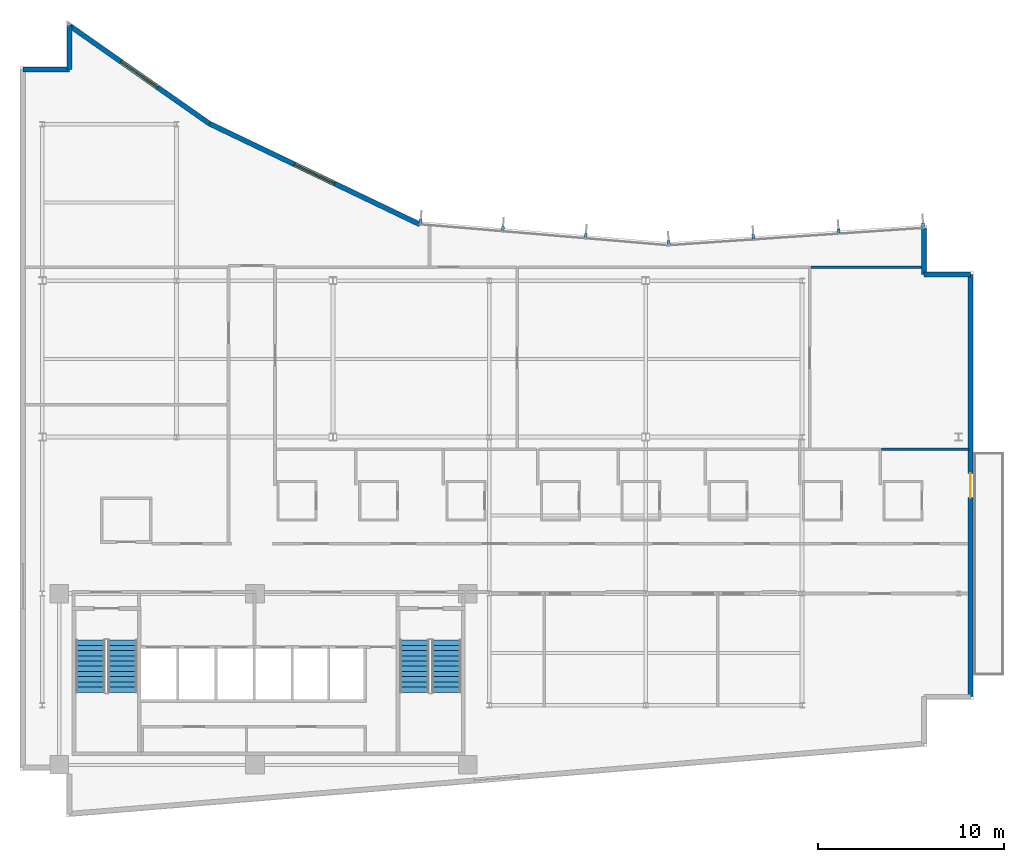
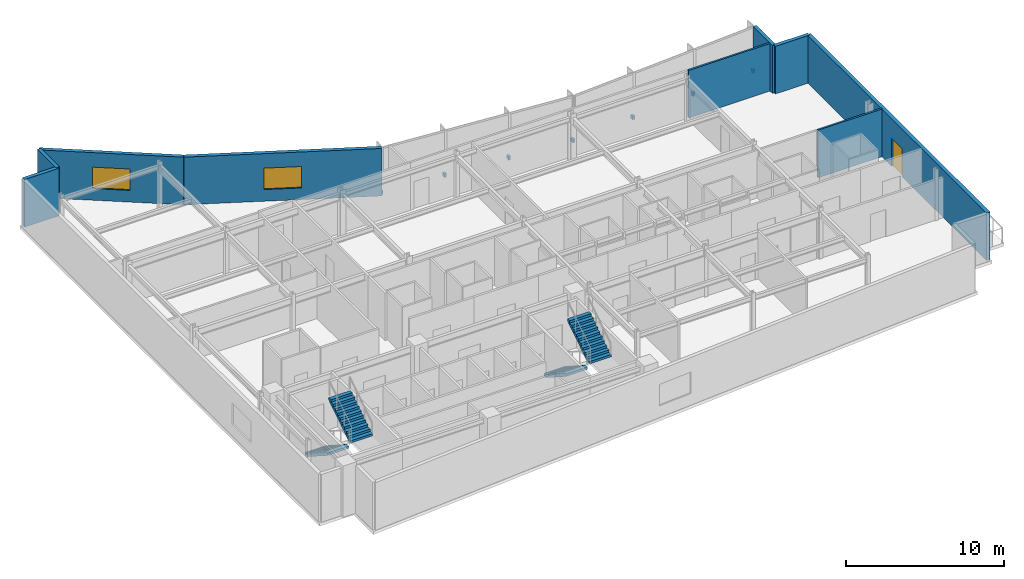
# One storey, part 12 of 15: 9 walls, 7 discrete accessories, 4 stair flights, 2 windows, 1 door, 3 openings, 2 elements without a shape of their own.
"""IFC4 building model written with IfcOpenShell, lengths in metres."""

from ifc_helpers import new_model, si_unit, direction, frame, frame_2d, origin, origin_2d, place, context, subcontext, project, spatial, polyline, rectangle, outline, extrude, material, layer, layer_set, type_object, element, fill, aggregate, save


model = new_model("IFC4")

# Units and contexts
model_context = context("Model", 3, precision=1e-05, world=origin(), true_north=direction((0.0, 1.0)))
body_context = subcontext(model_context, "Body", "Model", "MODEL_VIEW")
ifc_project = project(units=[si_unit("LENGTHUNIT", "METRE"), si_unit("AREAUNIT", "SQUARE_METRE"), si_unit("VOLUMEUNIT", "CUBIC_METRE"), si_unit("PLANEANGLEUNIT", "RADIAN"), si_unit("MASSUNIT", "GRAM", prefix="KILO")], contexts=[model_context])

# Site, building, storey
site_placement = place(None, origin())
site = spatial("IfcSite", under=ifc_project, at=site_placement, CompositionType="ELEMENT")
building_placement = place(site_placement, origin())
building = spatial("IfcBuilding", under=site, at=building_placement, Name="Varnakote Quay Hospital", CompositionType="ELEMENT")
storey_placement = place(building_placement, frame((0.0, 0.0, 231.60009765625)))
storey = spatial("IfcBuildingStorey", under=building, at=storey_placement, Name="L57", CompositionType="ELEMENT", Elevation=231.60009765625)

# Wall, opening, door
ifc_material_1 = material(Name="Precast concrete N50 (f'c 50 MPa)", Category="concrete")
ifc_layer_1 = layer(ifc_material_1, 0.260009765625)
ifc_layer_set_1 = layer_set([ifc_layer_1], Name="Precast concrete N50 (f'c 50 MPa)")
wall_type_1 = type_object("IfcWallType", Name="WL-EXT-BRICK-260", PredefinedType="STANDARD", material=ifc_layer_set_1)
wall_1_placement = place(storey_placement, frame((51.0400390625, 6.4599609375, 0.0), z_axis=(0.0, 0.0, 1.0), x_axis=(0.0, 1.0, 0.0)))
wall_1 = element("IfcWall", 1, at=wall_1_placement, inside=storey, type_object=wall_type_1, Name="L57 Healing Terrace Portal Brick Wall", PredefinedType="STANDARD", context=body_context, shape_type="SweptSolid", body=[
    extrude(rectangle(XDim=22.679931640625, YDim=0.260009765625, at=frame_2d((11.33984375, 0.0))), origin(), (0.0, 0.0, 1.0), 3.669921875),
])
opening_1_placement = place(wall_1_placement, frame((10.68994140625, 0.0, 0.0)))
opening_1 = element("IfcOpeningElement", 2, at=opening_1_placement, cuts=wall_1, Name="Opening DT-L57", PredefinedType="OPENING", context=body_context, shape_type="SweptSolid", body=[
    extrude(rectangle(XDim=1.300048828125, YDim=2.14990234375, at=frame_2d((0.64990234375, 1.074951171875))), frame((0.0, 0.139892578125, 0.0), z_axis=(0.0, -1.0, 0.0), x_axis=(1.0, 0.0, 0.0)), (0.0, 0.0, 1.0), 0.280029296875),
])
ifc_material_2 = material(Name="Anodised aluminium glazed terrace door", Category="aluminium")
door_type = type_object("IfcDoorType", Name="DR-EXT-TERR-1300x2150", OperationType="NOTDEFINED", PredefinedType="DOOR", material=ifc_material_2)
door_placement = place(opening_1_placement, origin())
door = element("IfcDoor", 3, at=door_placement, inside=storey, type_object=door_type, Name="L57 Waterfront Healing Terrace Door", OperationType="SINGLE_SWING_RIGHT", OverallHeight=2.14990234375, OverallWidth=1.300048828125, PredefinedType="DOOR", context=body_context, shape_type="SweptSolid", body=[
    extrude(rectangle(XDim=1.300048828125, YDim=2.14990234375, at=frame_2d((0.64990234375, 1.074951171875))), frame((0.0, 0.02490234375, 0.0), z_axis=(0.0, -1.0, 0.0), x_axis=(1.0, 0.0, 0.0)), (0.0, 0.0, 1.0), 0.050048828125),
])
fill(opening_1, door)

# Walls
wall_2_placement = place(storey_placement, frame((51.0400390625, 29.139892578125, 0.0), z_axis=(0.0, 0.0, 1.0), x_axis=(-1.0, 0.0, 0.0)))
element("IfcWall", 4, at=wall_2_placement, inside=storey, type_object=wall_type_1, Name="L57 Brick-Faced Precast Exterior Wall", PredefinedType="STANDARD", context=body_context, shape_type="SweptSolid", body=[
    extrude(rectangle(XDim=2.5, YDim=0.260009765625, at=frame_2d((1.25, 0.0))), origin(), (0.0, 0.0, 1.0), 3.669921875),
])
wall_3_placement = place(storey_placement, frame((48.5400390625, 29.139892578125, 0.0), z_axis=(0.0, 0.0, 1.0), x_axis=(0.0, 1.0, 0.0)))
element("IfcWall", 5, at=wall_3_placement, inside=storey, type_object=wall_type_1, Name="L57 Brick-Faced Precast Exterior Wall", PredefinedType="STANDARD", context=body_context, shape_type="SweptSolid", body=[
    extrude(rectangle(XDim=2.489013671875, YDim=0.260009765625, at=frame_2d((1.24462890625, 0.0))), origin(), (0.0, 0.0, 1.0), 3.669921875),
])

# Wall, opening, window
wall_4_placement = place(storey_placement, frame((21.461181640625, 31.822998046875, 0.0), z_axis=(0.0, 0.0, 1.0), x_axis=(-0.901858094827, 0.432032379336, 0.0)))
wall_4 = element("IfcWall", 6, at=wall_4_placement, inside=storey, type_object=wall_type_1, Name="L57 Brick-Faced Precast Exterior Wall", PredefinedType="STANDARD", context=body_context, shape_type="SweptSolid", body=[
    extrude(rectangle(XDim=12.5322265625, YDim=0.260009765625, at=frame_2d((6.26611328125, 0.0))), origin(), (0.0, 0.0, 1.0), 3.669921875),
])
opening_2_placement = place(wall_4_placement, frame((5.066162109375, 0.0, 0.89990234375)))
opening_2 = element("IfcOpeningElement", 7, at=opening_2_placement, cuts=wall_4, Name="Opening WN-0235", PredefinedType="OPENING", context=body_context, shape_type="SweptSolid", body=[
    extrude(rectangle(XDim=2.39990234375, YDim=1.64990234375, at=frame_2d((1.199951171875, 0.824951171875))), frame((0.0, 0.139892578125, 0.0), z_axis=(0.0, -1.0, 0.0), x_axis=(1.0, 0.0, 0.0)), (0.0, 0.0, 1.0), 0.280029296875),
])
ifc_material_3 = material(Name="Double-glazed low-E solar glass", Category="glass")
window_type = type_object("IfcWindowType", Name="WIN-CLIN-2400x1650", PartitioningType="SINGLE_PANEL", PredefinedType="WINDOW", material=ifc_material_3)
window_1_placement = place(opening_2_placement, origin())
window_1 = element("IfcWindow", 8, at=window_1_placement, inside=storey, type_object=window_type, Name="L57 Solar-Control Clinical Window", OverallHeight=1.64990234375, OverallWidth=2.39990234375, PartitioningType="SINGLE_PANEL", PredefinedType="WINDOW", context=body_context, shape_type="SweptSolid", body=[
    extrude(rectangle(XDim=2.39990234375, YDim=1.64990234375, at=frame_2d((1.199951171875, 0.824951171875))), frame((0.0, 0.030029296875, 0.0), z_axis=(0.0, -1.0, 0.0), x_axis=(1.0, 0.0, 0.0)), (0.0, 0.0, 1.0), 0.06005859375),
])
fill(opening_2, window_1)

wall_5_placement = place(storey_placement, frame((10.158935546875, 37.2373046875, 0.0), z_axis=(0.0, 0.0, 1.0), x_axis=(-0.818933702389, 0.57388813465, 0.0)))
wall_5 = element("IfcWall", 9, at=wall_5_placement, inside=storey, type_object=wall_type_1, Name="L57 Brick-Faced Precast Exterior Wall", PredefinedType="STANDARD", context=body_context, shape_type="SweptSolid", body=[
    extrude(rectangle(XDim=9.156982421875, YDim=0.260009765625, at=frame_2d((4.57861328125, 0.0))), origin(), (0.0, 0.0, 1.0), 3.669921875),
])
opening_3_placement = place(wall_5_placement, frame((3.37841796875, 0.0, 0.89990234375)))
opening_3 = element("IfcOpeningElement", 10, at=opening_3_placement, cuts=wall_5, Name="Opening WN-0236", PredefinedType="OPENING", context=body_context, shape_type="SweptSolid", body=[
    extrude(rectangle(XDim=2.39990234375, YDim=1.64990234375, at=frame_2d((1.199951171875, 0.824951171875))), frame((0.0, 0.139892578125, 0.0), z_axis=(0.0, -1.0, 0.0), x_axis=(1.0, 0.0, 0.0)), (0.0, 0.0, 1.0), 0.280029296875),
])
window_2_placement = place(opening_3_placement, origin())
window_2 = element("IfcWindow", 11, at=window_2_placement, inside=storey, type_object=window_type, Name="L57 Solar-Control Clinical Window", OverallHeight=1.64990234375, OverallWidth=2.39990234375, PartitioningType="SINGLE_PANEL", PredefinedType="WINDOW", context=body_context, shape_type="SweptSolid", body=[
    extrude(rectangle(XDim=2.39990234375, YDim=1.64990234375, at=frame_2d((1.199951171875, 0.824951171875))), frame((0.0, 0.030029296875, 0.0), z_axis=(0.0, -1.0, 0.0), x_axis=(1.0, 0.0, 0.0)), (0.0, 0.0, 1.0), 0.06005859375),
])
fill(opening_3, window_2)

# Walls
wall_6_placement = place(storey_placement, frame((2.659912109375, 42.492431640625, 0.0), z_axis=(0.0, 0.0, 1.0), x_axis=(0.0, -1.0, 0.0)))
element("IfcWall", 12, at=wall_6_placement, inside=storey, type_object=wall_type_1, Name="L57 Brick-Faced Precast Exterior Wall", PredefinedType="STANDARD", context=body_context, shape_type="SweptSolid", body=[
    extrude(rectangle(XDim=2.3525390625, YDim=0.260009765625, at=frame_2d((1.17626953125, 0.0))), origin(), (0.0, 0.0, 1.0), 3.669921875),
])
wall_7_placement = place(storey_placement, frame((2.659912109375, 40.139892578125, 0.0), z_axis=(0.0, 0.0, 1.0), x_axis=(-1.0, 0.0, 0.0)))
element("IfcWall", 13, at=wall_7_placement, inside=storey, type_object=wall_type_1, Name="L57 Brick-Faced Precast Exterior Wall", PredefinedType="STANDARD", context=body_context, shape_type="SweptSolid", body=[
    extrude(rectangle(XDim=2.5, YDim=0.260009765625, at=frame_2d((1.25, 0.0))), origin(), (0.0, 0.0, 1.0), 3.669921875),
])
ifc_material_4 = material(Name="Smoke-proof clinical partition", Category="gypsum")
ifc_layer_2 = layer(ifc_material_4, 0.135009765625)
ifc_layer_set_2 = layer_set([ifc_layer_2], Name="Smoke-proof clinical partition")
wall_type_2 = type_object("IfcWallType", Name="WL-SMOKE-135", PredefinedType="PARTITIONING", material=ifc_layer_set_2)
wall_8_placement = place(storey_placement, frame((50.9599609375, 19.739990234375, 0.0), z_axis=(0.0, 0.0, 1.0), x_axis=(-1.0, 0.0, 0.0)))
element("IfcWall", 14, at=wall_8_placement, inside=storey, type_object=wall_type_2, Name="L57 Clinical Interior Partition", PredefinedType="PARTITIONING", context=body_context, shape_type="SweptSolid", body=[
    extrude(rectangle(XDim=4.702392578125, YDim=0.135009765625, at=frame_2d((2.35107421875, 0.0))), origin(), (0.0, 0.0, 1.0), 3.669921875),
])
wall_9_placement = place(storey_placement, frame((48.5400390625, 29.52001953125, 0.0), z_axis=(0.0, 0.0, 1.0), x_axis=(-1.0, 0.0, 0.0)))
element("IfcWall", 15, at=wall_9_placement, inside=storey, type_object=wall_type_2, Name="L57 Clinical Interior Partition", PredefinedType="PARTITIONING", context=body_context, shape_type="SweptSolid", body=[
    extrude(rectangle(XDim=6.0625, YDim=0.135009765625, at=frame_2d((3.03125, 0.0))), origin(), (0.0, 0.0, 1.0), 3.669921875),
])

# Stair, stair flights
ifc_material_5 = material(Name="Concrete N40 (f'c 40 MPa)", Category="concrete")
stair_type = type_object("IfcStairType", Name="STR-CORE-1580", PredefinedType="HALF_TURN_STAIR", material=ifc_material_5)
stair_1_placement = place(storey_placement, origin())
stair_1 = element("IfcStair", 16, at=stair_1_placement, inside=storey, type_object=stair_type, Name="L57 Fire-Isolated Exit Stair ST-01", PredefinedType="HALF_TURN_STAIR")
ifc_material_6 = material(Name="Concrete N40 (f'c 40 MPa)", Category="concrete")
ifc_layer_3 = layer(ifc_material_6, 0.159912109375)
ifc_layer_set_3 = layer_set([ifc_layer_3], Name="Concrete N40 (f'c 40 MPa)")
stair_flight_type = type_object("IfcStairFlightType", Name="FLT-CORE-1580", PredefinedType="STRAIGHT", material=ifc_layer_set_3)
stair_flight_1_placement = place(storey_placement, frame((3.7900390625, 9.5, 0.0), z_axis=(0.0, 0.0, 1.0), x_axis=(0.0, -1.0, 0.0)))
stair_flight_1 = element("IfcStairFlight", 17, at=stair_flight_1_placement, type_object=stair_flight_type, Name="ST-01 flight 1", NumberOfRisers=11, NumberOfTreads=10, PredefinedType="STRAIGHT", RiserHeight=0.179545455, TreadLength=0.28, context=body_context, shape_type="SweptSolid", body=[
    extrude(outline(polyline([(0.0, 0.0), (0.0, 0.179443359375), (0.280029296875, 0.179443359375), (0.280029296875, 0.359130859375), (0.56005859375, 0.359130859375), (0.56005859375, 0.53857421875), (0.840087890625, 0.53857421875), (0.840087890625, 0.71826171875), (1.1201171875, 0.71826171875), (1.1201171875, 0.897705078125), (1.39990234375, 0.897705078125), (1.39990234375, 1.077392578125), (1.679931640625, 1.077392578125), (1.679931640625, 1.2568359375), (1.9599609375, 1.2568359375), (1.9599609375, 1.436279296875), (2.239990234375, 1.436279296875), (2.239990234375, 1.615966796875), (2.52001953125, 1.615966796875), (2.52001953125, 1.79541015625), (2.800048828125, 1.79541015625), (2.800048828125, 1.97509765625), (2.800048828125, 1.60546875), (0.296142578125, 0.0), (0.0, 0.0)])), frame((0.0, 0.7900390625, 0.0), z_axis=(0.0, -1.0, 0.0), x_axis=(1.0, 0.0, 0.0)), (0.0, 0.0, 1.0), 1.580078125),
])
stair_flight_2_placement = place(storey_placement, frame((5.510009765625, 6.699951171875, 1.974853515625), z_axis=(0.0, 0.0, 1.0), x_axis=(0.0, 1.0, 0.0)))
stair_flight_2 = element("IfcStairFlight", 18, at=stair_flight_2_placement, type_object=stair_flight_type, Name="ST-01 flight 2", NumberOfRisers=11, NumberOfTreads=10, PredefinedType="STRAIGHT", RiserHeight=0.179545455, TreadLength=0.28, context=body_context, shape_type="SweptSolid", body=[
    extrude(outline(polyline([(0.0, 0.0), (0.0, 0.179443359375), (0.280029296875, 0.179443359375), (0.280029296875, 0.359130859375), (0.56005859375, 0.359130859375), (0.56005859375, 0.53857421875), (0.840087890625, 0.53857421875), (0.840087890625, 0.71826171875), (1.1201171875, 0.71826171875), (1.1201171875, 0.897705078125), (1.39990234375, 0.897705078125), (1.39990234375, 1.077392578125), (1.679931640625, 1.077392578125), (1.679931640625, 1.2568359375), (1.9599609375, 1.2568359375), (1.9599609375, 1.436279296875), (2.239990234375, 1.436279296875), (2.239990234375, 1.615966796875), (2.52001953125, 1.615966796875), (2.52001953125, 1.79541015625), (2.800048828125, 1.79541015625), (2.800048828125, 1.97509765625), (2.800048828125, 1.60546875), (0.296142578125, 0.0), (0.0, 0.0)])), frame((0.0, 0.7900390625, 0.0), z_axis=(0.0, -1.0, 0.0), x_axis=(1.0, 0.0, 0.0)), (0.0, 0.0, 1.0), 1.580078125),
])
aggregate(stair_1, [stair_flight_1, stair_flight_2])

stair_2_placement = place(storey_placement, origin())
stair_2 = element("IfcStair", 19, at=stair_2_placement, inside=storey, type_object=stair_type, Name="L57 Fire-Isolated Exit Stair ST-02", PredefinedType="HALF_TURN_STAIR")
stair_flight_3_placement = place(storey_placement, frame((21.18994140625, 9.5, 0.0), z_axis=(0.0, 0.0, 1.0), x_axis=(0.0, -1.0, 0.0)))
stair_flight_3 = element("IfcStairFlight", 20, at=stair_flight_3_placement, type_object=stair_flight_type, Name="ST-02 flight 1", NumberOfRisers=11, NumberOfTreads=10, PredefinedType="STRAIGHT", RiserHeight=0.179545455, TreadLength=0.28, context=body_context, shape_type="SweptSolid", body=[
    extrude(outline(polyline([(0.0, 0.0), (0.0, 0.179443359375), (0.280029296875, 0.179443359375), (0.280029296875, 0.359130859375), (0.56005859375, 0.359130859375), (0.56005859375, 0.53857421875), (0.840087890625, 0.53857421875), (0.840087890625, 0.71826171875), (1.1201171875, 0.71826171875), (1.1201171875, 0.897705078125), (1.39990234375, 0.897705078125), (1.39990234375, 1.077392578125), (1.679931640625, 1.077392578125), (1.679931640625, 1.2568359375), (1.9599609375, 1.2568359375), (1.9599609375, 1.436279296875), (2.239990234375, 1.436279296875), (2.239990234375, 1.615966796875), (2.52001953125, 1.615966796875), (2.52001953125, 1.79541015625), (2.800048828125, 1.79541015625), (2.800048828125, 1.97509765625), (2.800048828125, 1.60546875), (0.296142578125, 0.0), (0.0, 0.0)])), frame((0.0, 0.7900390625, 0.0), z_axis=(0.0, -1.0, 0.0), x_axis=(1.0, 0.0, 0.0)), (0.0, 0.0, 1.0), 1.580078125),
])
stair_flight_4_placement = place(storey_placement, frame((22.909912109375, 6.699951171875, 1.974853515625), z_axis=(0.0, 0.0, 1.0), x_axis=(0.0, 1.0, 0.0)))
stair_flight_4 = element("IfcStairFlight", 21, at=stair_flight_4_placement, type_object=stair_flight_type, Name="ST-02 flight 2", NumberOfRisers=11, NumberOfTreads=10, PredefinedType="STRAIGHT", RiserHeight=0.179545455, TreadLength=0.28, context=body_context, shape_type="SweptSolid", body=[
    extrude(outline(polyline([(0.0, 0.0), (0.0, 0.179443359375), (0.280029296875, 0.179443359375), (0.280029296875, 0.359130859375), (0.56005859375, 0.359130859375), (0.56005859375, 0.53857421875), (0.840087890625, 0.53857421875), (0.840087890625, 0.71826171875), (1.1201171875, 0.71826171875), (1.1201171875, 0.897705078125), (1.39990234375, 0.897705078125), (1.39990234375, 1.077392578125), (1.679931640625, 1.077392578125), (1.679931640625, 1.2568359375), (1.9599609375, 1.2568359375), (1.9599609375, 1.436279296875), (2.239990234375, 1.436279296875), (2.239990234375, 1.615966796875), (2.52001953125, 1.615966796875), (2.52001953125, 1.79541015625), (2.800048828125, 1.79541015625), (2.800048828125, 1.97509765625), (2.800048828125, 1.60546875), (0.296142578125, 0.0), (0.0, 0.0)])), frame((0.0, 0.7900390625, 0.0), z_axis=(0.0, -1.0, 0.0), x_axis=(1.0, 0.0, 0.0)), (0.0, 0.0, 1.0), 1.580078125),
])
aggregate(stair_2, [stair_flight_3, stair_flight_4])

# Discrete accessories
ifc_material_7 = material(Name="Anodised aluminium 6063-T6 Bronze", Category="aluminium")
discrete_accessory_type = type_object("IfcDiscreteAccessoryType", Name="ACC-FIN-BRACKET-180", PredefinedType="BRACKET", material=ifc_material_7)
for number, where, z_axis, x_axis, name in (
    (22, (48.497314453125, 31.776123046875, 0.0), (0.0, 0.0, 1.0), (-0.997696134548, -0.067841160875, 0.0), "L57 Curtain Wall Fin Fixing Bracket"),
    (23, (43.95458984375, 31.46728515625, 0.0), (0.0, 0.0, 1.0), (-0.997696134548, -0.067841160875, 0.0), "L57 Curtain Wall Fin Fixing Bracket"),
    (24, (39.379638671875, 31.15625, 0.0), (0.0, 0.0, 1.0), (-0.997696134548, -0.067841160875, 0.0), "L57 Curtain Wall Fin Fixing Bracket"),
    (25, (34.8369140625, 30.847412109375, 0.0), (0.0, 0.0, 1.0), (-0.997696134548, -0.067841160875, 0.0), "L57 Curtain Wall Fin Fixing Bracket"),
    (26, (30.376220703125, 31.220703125, 0.0), (0.0, 0.0, 1.0), (-0.996448909038, 0.084199594279, 0.0), "L57 Curtain Wall Fin Fixing Bracket"),
    (27, (25.925048828125, 31.5966796875, 0.0), (0.0, 0.0, 1.0), (-0.996448909038, 0.084199594279, 0.0), "L57 Curtain Wall Fin Fixing Bracket"),
    (28, (21.50634765625, 31.9697265625, 0.0), (0.0, 0.0, 1.0), (-0.996448909038, 0.084199594279, 0.0), "L57 Curtain Wall Fin Fixing Bracket"),
):
    element("IfcDiscreteAccessory", number, at=place(storey_placement, frame(where, z_axis=z_axis, x_axis=x_axis)), inside=storey, type_object=discrete_accessory_type, Name=name, PredefinedType="BRACKET", context=body_context, shape_type="SweptSolid", body=[
        extrude(rectangle(XDim=0.159912109375, YDim=0.239990234375, at=origin_2d()), origin(), (0.0, 0.0, 1.0), 0.280029296875),
    ])

save(model, "model.ifc")
